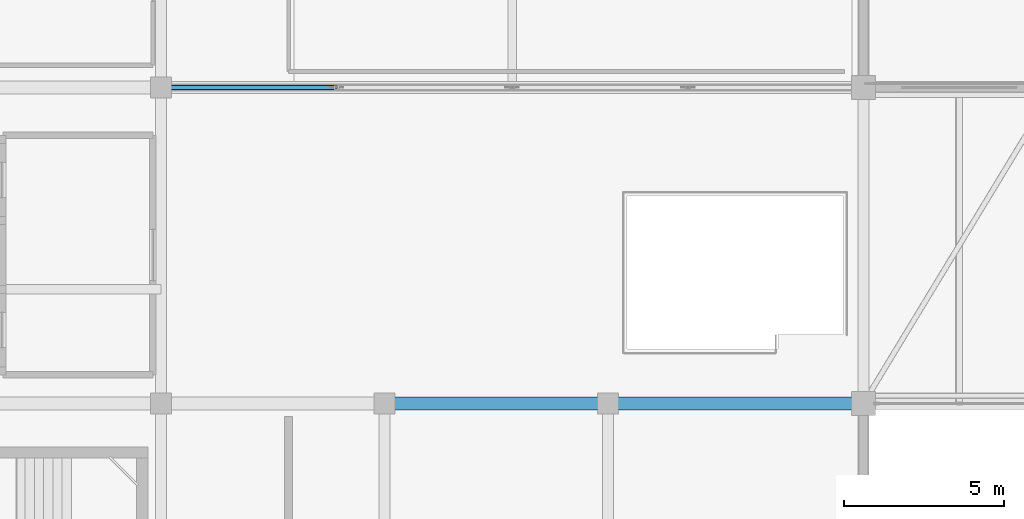
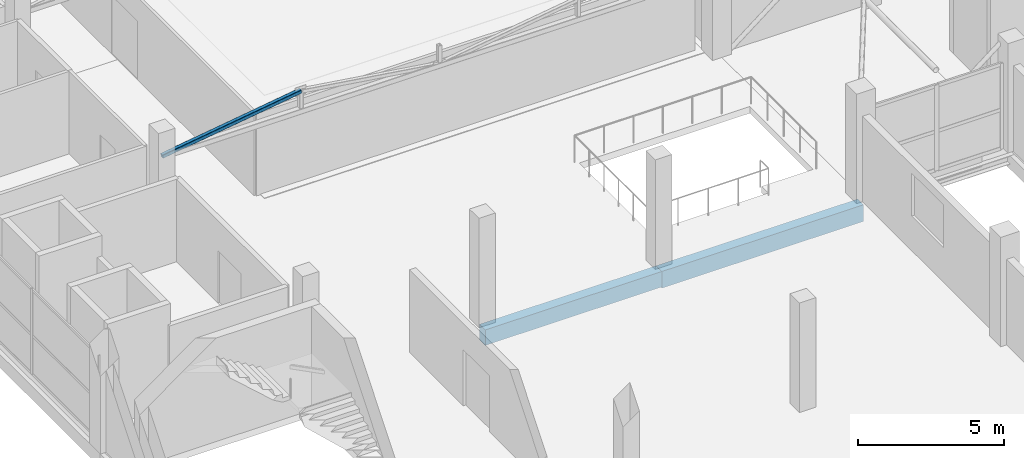
# One storey, part 9 of 69: 2 beams, 1 member.
"""IFC4 building model written with IfcOpenShell, lengths in metres."""

from ifc_helpers import new_model, si_unit, direction, frame, origin, origin_2d, place, context, subcontext, project, spatial, rectangle, hollow_rectangle, extrude, material, material_profile, profile_set, type_object, element, save


model = new_model("IFC4")

# Units and contexts
model_context = context("Model", 3, precision=1e-05, world=origin(), true_north=direction((0.0, 1.0)))
body_context = subcontext(model_context, "Body", "Model", "MODEL_VIEW")
ifc_project = project(units=[si_unit("LENGTHUNIT", "METRE"), si_unit("AREAUNIT", "SQUARE_METRE"), si_unit("VOLUMEUNIT", "CUBIC_METRE"), si_unit("PLANEANGLEUNIT", "RADIAN"), si_unit("MASSUNIT", "GRAM", prefix="KILO")], contexts=[model_context])

# Site, building, storey
site_placement = place(None, origin())
site = spatial("IfcSite", under=ifc_project, at=site_placement, CompositionType="ELEMENT")
building_placement = place(site_placement, origin())
building = spatial("IfcBuilding", under=site, at=building_placement, Name="Sillaruma Civic Art Gallery", CompositionType="ELEMENT")
storey_placement = place(building_placement, frame((0.0, 0.0, 42.330078125)))
storey = spatial("IfcBuildingStorey", under=building, at=storey_placement, Name="L08", CompositionType="ELEMENT", Elevation=42.330078125)

# Beams
ifc_material_1 = material(Name="Concrete H35 (35 MPa)", Category="concrete")
ifc_material_profile_1 = material_profile(ifc_material_1, rectangle(XDim=0.39990234375, YDim=0.64990234375, at=origin_2d()), Name="RCB400x650")
ifc_profile_set_1 = profile_set([ifc_material_profile_1], Name="Concrete H35 (35 MPa)")
beam_type_1 = type_object("IfcBeamType", Name="BM-BEAM-RCB400x650", PredefinedType="BEAM", material=ifc_profile_set_1)
beam_1_placement = place(storey_placement, frame((77.0, 39.60009765625, -0.60498046875), z_axis=(1.0, 0.0, 0.0), x_axis=(0.0, 1.0, 0.0)))
element("IfcBeam", 1, at=beam_1_placement, inside=storey, type_object=beam_type_1, Name="Beam BM-05 (L07:5:H-J)", PredefinedType="BEAM", context=body_context, shape_type="SweptSolid", body=[
    extrude(rectangle(XDim=0.39990234375, YDim=0.64990234375, at=origin_2d()), origin(), (0.0, 0.0, 1.0), 7.0),
])
ifc_material_profile_2 = material_profile(ifc_material_1, rectangle(XDim=0.39990234375, YDim=0.699951171875, at=origin_2d()), Name="RCB400x700")
ifc_profile_set_2 = profile_set([ifc_material_profile_2], Name="Concrete H35 (35 MPa)")
beam_type_2 = type_object("IfcBeamType", Name="BM-BEAM-RCB400x700", PredefinedType="BEAM", material=ifc_profile_set_2)
beam_2_placement = place(storey_placement, frame((84.0, 39.60009765625, -0.630126953125), z_axis=(1.0, 0.0, 0.0), x_axis=(0.0, 1.0, 0.0)))
element("IfcBeam", 2, at=beam_2_placement, inside=storey, type_object=beam_type_2, Name="Beam BM-04 (L07:5:J-K)", PredefinedType="BEAM", context=body_context, shape_type="SweptSolid", body=[
    extrude(rectangle(XDim=0.39990234375, YDim=0.699951171875, at=origin_2d()), origin(), (0.0, 0.0, 1.0), 8.0),
])

# Member
ifc_material_2 = material(Name="Structural Steel ASTM A500 Gr.C", Category="steel")
ifc_material_profile_3 = material_profile(ifc_material_2, hollow_rectangle(XDim=0.14990234375, YDim=0.14990234375, WallThickness=0.010009765625, InnerFilletRadius=0.010009765625, OuterFilletRadius=0.02001953125, at=origin_2d()), Name="HSS150x150x10")
ifc_profile_set_3 = profile_set([ifc_material_profile_3], Name="Structural Steel ASTM A500 Gr.C")
member_type = type_object("IfcMemberType", Name="MEM-BRACE-HSS150x150x10", PredefinedType="BRACE", material=ifc_profile_set_3)
member_placement = place(storey_placement, frame((70.0, 49.5, 3.349853515625), z_axis=(0.989377720719, 0.0, 0.145367553959), x_axis=(0.0, 1.0, 0.0)))
element("IfcMember", 3, at=member_placement, inside=storey, type_object=member_type, Name="Warren Truss Diagonal TR-L08-1-D1", PredefinedType="BRACE", context=body_context, shape_type="SweptSolid", body=[
    extrude(hollow_rectangle(XDim=0.14990234375, YDim=0.14990234375, WallThickness=0.010009765625, InnerFilletRadius=0.010009765625, OuterFilletRadius=0.02001953125, at=origin_2d()), origin(), (0.0, 0.0, 1.0), 5.55908203125),
])

save(model, "model.ifc")
